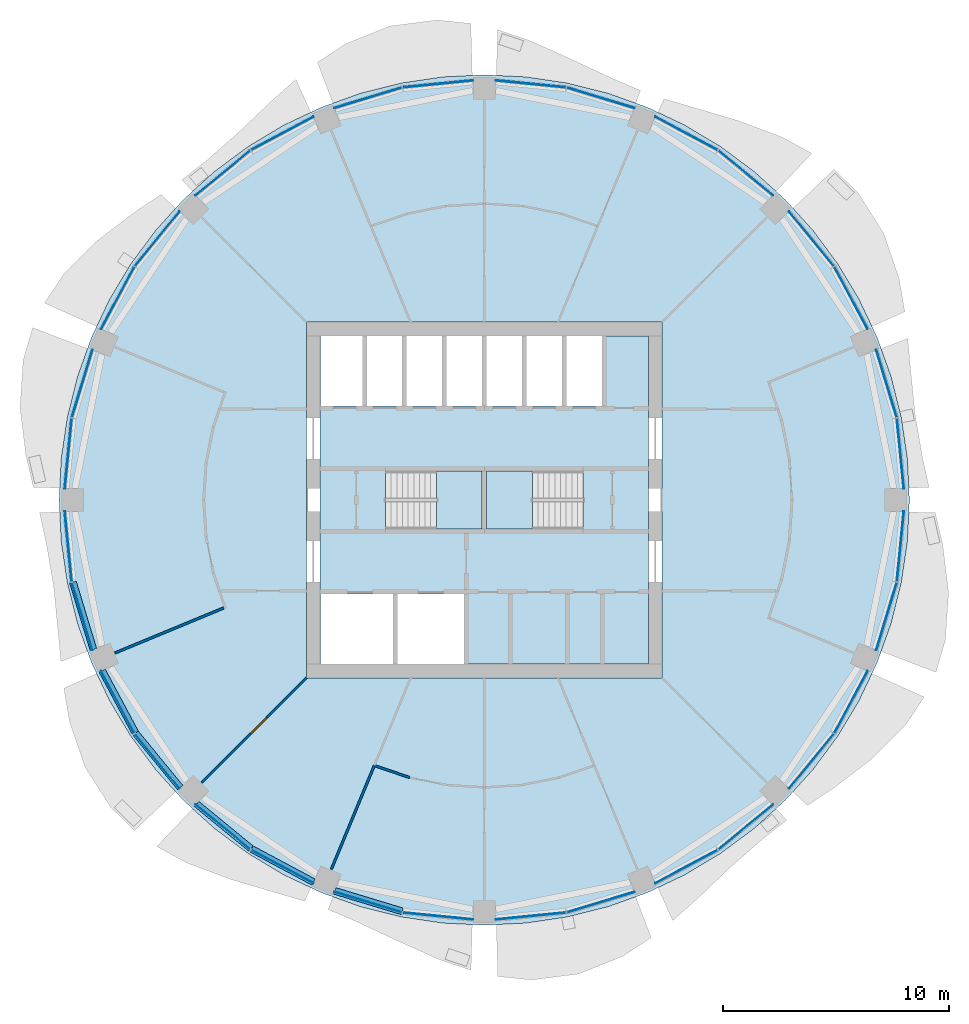
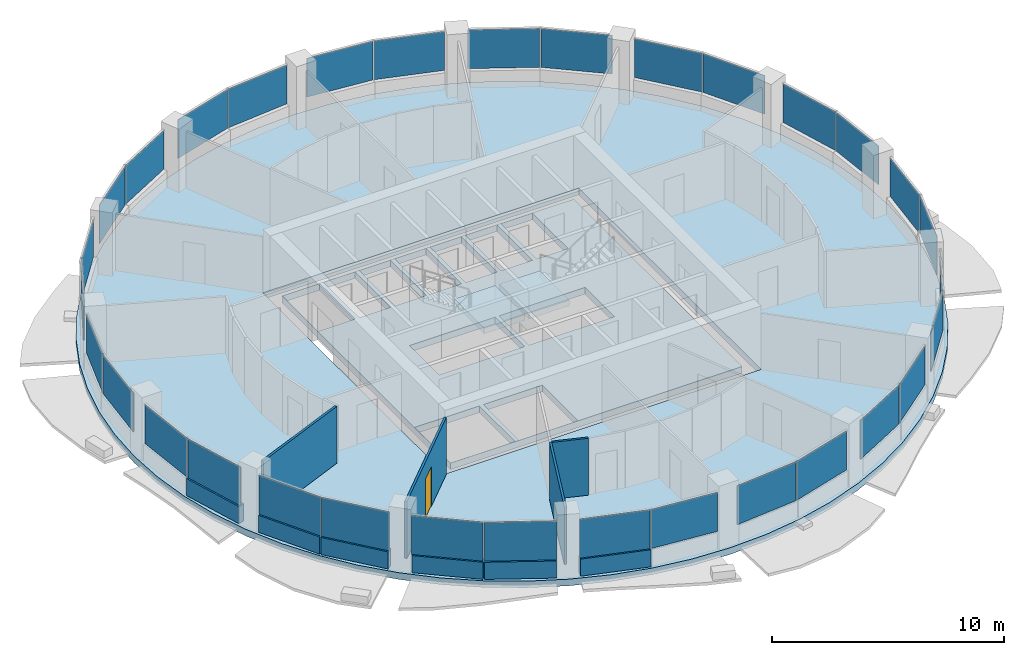
# One storey, part 7 of 15: 32 plates, 10 walls, 4 slabs, 1 door, 1 opening, 18 elements without a shape of their own.
"""IFC4 building model written with IfcOpenShell, lengths in metres."""

from ifc_helpers import new_model, si_unit, direction, frame, frame_2d, origin, origin_2d, place, context, subcontext, project, spatial, polyline, rectangle, outline, extrude, material, layer, layer_set, type_object, element, fill, aggregate, save


model = new_model("IFC4")

# Units and contexts
model_context = context("Model", 3, precision=1e-05, world=origin(), true_north=direction((0.0, 1.0)))
body_context = subcontext(model_context, "Body", "Model", "MODEL_VIEW")
ifc_project = project(units=[si_unit("LENGTHUNIT", "METRE"), si_unit("AREAUNIT", "SQUARE_METRE"), si_unit("VOLUMEUNIT", "CUBIC_METRE"), si_unit("PLANEANGLEUNIT", "RADIAN"), si_unit("MASSUNIT", "GRAM", prefix="KILO")], contexts=[model_context])

# Site, building, storey
site_placement = place(None, origin())
site = spatial("IfcSite", under=ifc_project, at=site_placement, CompositionType="ELEMENT")
building_placement = place(site_placement, origin())
building = spatial("IfcBuilding", under=site, at=building_placement, Name="Polderwave Tower", CompositionType="ELEMENT")
storey_placement = place(building_placement, frame((0.0, 0.0, 151.10009765625)))
storey = spatial("IfcBuildingStorey", under=building, at=storey_placement, Name="L40", CompositionType="ELEMENT", Elevation=151.10009765625)

# Slab
ifc_material_1 = material(Name="Concrete C40/50", Category="concrete")
ifc_layer_1 = layer(ifc_material_1, 0.35009765625)
ifc_layer_set_1 = layer_set([ifc_layer_1], Name="Core floor slab 350")
slab_type_1 = type_object("IfcSlabType", Name="Core floor slab 350", PredefinedType="FLOOR", material=ifc_layer_set_1)
slab_1_placement = place(storey_placement, frame((0.0, 0.0, -0.35009765625)))
element("IfcSlab", 1, at=slab_1_placement, inside=storey, type_object=slab_type_1, Name="L40 core floor", PredefinedType="FLOOR", context=body_context, shape_type="SweptSolid", body=[
    extrude(outline(polyline([(-7.27392578125, -7.27392578125), (7.27392578125, -7.27392578125), (7.27392578125, 7.27392578125), (-7.27392578125, 7.27392578125), (-7.27392578125, -7.27392578125)]), holes=[polyline([(-7.25390625, -7.25390625), (-4.037109375, -7.25390625), (-4.037109375, -4.174072265625), (-7.25390625, -4.174072265625), (-7.25390625, -7.25390625)]), polyline([(-3.8369140625, -7.25390625), (-0.89990234375, -7.25390625), (-0.89990234375, -4.174072265625), (-3.8369140625, -4.174072265625), (-3.8369140625, -7.25390625)]), polyline([(-7.25390625, 4.174072265625), (-5.405517578125, 4.174072265625), (-5.405517578125, 7.25390625), (-7.25390625, 7.25390625), (-7.25390625, 4.174072265625)]), polyline([(-5.20556640625, 4.174072265625), (-3.636962890625, 4.174072265625), (-3.636962890625, 7.25390625), (-5.20556640625, 7.25390625), (-5.20556640625, 4.174072265625)]), polyline([(-3.43701171875, 4.174072265625), (-1.868408203125, 4.174072265625), (-1.868408203125, 7.25390625), (-3.43701171875, 7.25390625), (-3.43701171875, 4.174072265625)]), polyline([(-1.66845703125, 4.174072265625), (-0.10009765625, 4.174072265625), (-0.10009765625, 7.25390625), (-1.66845703125, 7.25390625), (-1.66845703125, 4.174072265625)]), polyline([(0.10009765625, 4.174072265625), (1.66845703125, 4.174072265625), (1.66845703125, 7.25390625), (0.10009765625, 7.25390625), (0.10009765625, 4.174072265625)]), polyline([(1.868408203125, 4.174072265625), (3.43701171875, 4.174072265625), (3.43701171875, 7.25390625), (1.868408203125, 7.25390625), (1.868408203125, 4.174072265625)]), polyline([(3.636962890625, 4.174072265625), (5.20556640625, 4.174072265625), (5.20556640625, 7.25390625), (3.636962890625, 7.25390625), (3.636962890625, 4.174072265625)]), polyline([(-4.37353515625, -1.2744140625), (-0.1005859375, -1.2744140625), (-0.1005859375, 1.2744140625), (-4.37353515625, 1.2744140625), (-4.37353515625, -1.2744140625)]), polyline([(0.1005859375, -1.2744140625), (4.37353515625, -1.2744140625), (4.37353515625, 1.2744140625), (0.1005859375, 1.2744140625), (0.1005859375, -1.2744140625)])]), origin(), (0.0, 0.0, 1.0), 0.35009765625),
])

# Curtain wall, plates
ifc_material_2 = material(Name="Aluminium 6063-T6 and glass", Category="aluminium")
curtain_wall_type = type_object("IfcCurtainWallType", Name="Office ribbon glazing wall", PredefinedType="NOTDEFINED", material=ifc_material_2)
curtain_wall_1_placement = place(storey_placement, origin())
curtain_wall_1 = element("IfcCurtainWall", 2, at=curtain_wall_1_placement, inside=storey, type_object=curtain_wall_type, Name="CW3 L40 00", PredefinedType="NOTDEFINED")
ifc_material_3 = material(Name="Glass, low-e laminated double glazing", Category="glass")
ifc_layer_2 = layer(ifc_material_3, 0.031982421875)
ifc_layer_set_2 = layer_set([ifc_layer_2], Name="Office ribbon glazing glass panel 32 mm")
plate_type = type_object("IfcPlateType", Name="Office ribbon glazing glass panel 32 mm", PredefinedType="CURTAIN_PANEL", material=ifc_layer_set_2)
plate_1_placement = place(storey_placement, frame((18.427734375, 2.0537109375, 0.89990234375), z_axis=(0.0, 0.0, 1.0), x_axis=(-0.098090090917, 0.995177538967, 0.0)))
plate_1 = element("IfcPlate", 3, at=plate_1_placement, type_object=plate_type, Name="CW3 panel 1", PredefinedType="CURTAIN_PANEL", context=body_context, shape_type="SweptSolid", body=[
    extrude(rectangle(XDim=3.122802734375, YDim=0.031982421875, at=origin_2d()), origin(), (0.0, 0.0, 1.0), 2.0400390625),
])
plate_2_placement = place(storey_placement, frame((17.81103515625, 5.1552734375, 0.89990234375), z_axis=(0.0, 0.0, 1.0), x_axis=(-0.290201167351, 0.956965664205, 0.0)))
plate_2 = element("IfcPlate", 4, at=plate_2_placement, type_object=plate_type, Name="CW3 panel 2", PredefinedType="CURTAIN_PANEL", context=body_context, shape_type="SweptSolid", body=[
    extrude(rectangle(XDim=3.1220703125, YDim=0.031982421875, at=origin_2d()), origin(), (0.0, 0.0, 1.0), 2.0400390625),
])
aggregate(curtain_wall_1, [plate_1, plate_2])

curtain_wall_2_placement = place(storey_placement, origin())
curtain_wall_2 = element("IfcCurtainWall", 5, at=curtain_wall_2_placement, inside=storey, type_object=curtain_wall_type, Name="CW3 L40 01", PredefinedType="NOTDEFINED")
plate_3_placement = place(storey_placement, frame((16.239013671875, 8.948974609375, 0.89990234375), z_axis=(0.0, 0.0, 1.0), x_axis=(-0.471429060612, 0.881903986163, 0.0)))
plate_3 = element("IfcPlate", 6, at=plate_3_placement, type_object=plate_type, Name="CW3 panel 1", PredefinedType="CURTAIN_PANEL", context=body_context, shape_type="SweptSolid", body=[
    extrude(rectangle(XDim=3.12255859375, YDim=0.031982421875, at=origin_2d()), origin(), (0.0, 0.0, 1.0), 2.0400390625),
])
plate_4_placement = place(storey_placement, frame((14.482421875, 11.578125, 0.89990234375), z_axis=(0.0, 0.0, 1.0), x_axis=(-0.63432582386, 0.773065811677, 0.0)))
plate_4 = element("IfcPlate", 7, at=plate_4_placement, type_object=plate_type, Name="CW3 panel 2", PredefinedType="CURTAIN_PANEL", context=body_context, shape_type="SweptSolid", body=[
    extrude(rectangle(XDim=3.122314453125, YDim=0.031982421875, at=origin_2d()), origin(), (0.0, 0.0, 1.0), 2.0400390625),
])
aggregate(curtain_wall_2, [plate_3, plate_4])

curtain_wall_3_placement = place(storey_placement, origin())
curtain_wall_3 = element("IfcCurtainWall", 8, at=curtain_wall_3_placement, inside=storey, type_object=curtain_wall_type, Name="CW3 L40 02", PredefinedType="NOTDEFINED")
plate_5_placement = place(storey_placement, frame((11.578125, 14.482421875, 0.89990234375), z_axis=(0.0, 0.0, 1.0), x_axis=(-0.773065811677, 0.63432582386, 0.0)))
plate_5 = element("IfcPlate", 9, at=plate_5_placement, type_object=plate_type, Name="CW3 panel 1", PredefinedType="CURTAIN_PANEL", context=body_context, shape_type="SweptSolid", body=[
    extrude(rectangle(XDim=3.122314453125, YDim=0.031982421875, at=origin_2d()), origin(), (0.0, 0.0, 1.0), 2.0400390625),
])
plate_6_placement = place(storey_placement, frame((8.948974609375, 16.239013671875, 0.89990234375), z_axis=(0.0, 0.0, 1.0), x_axis=(-0.881903986163, 0.471429060612, 0.0)))
plate_6 = element("IfcPlate", 10, at=plate_6_placement, type_object=plate_type, Name="CW3 panel 2", PredefinedType="CURTAIN_PANEL", context=body_context, shape_type="SweptSolid", body=[
    extrude(rectangle(XDim=3.12255859375, YDim=0.031982421875, at=origin_2d()), origin(), (0.0, 0.0, 1.0), 2.0400390625),
])
aggregate(curtain_wall_3, [plate_5, plate_6])

curtain_wall_4_placement = place(storey_placement, origin())
curtain_wall_4 = element("IfcCurtainWall", 11, at=curtain_wall_4_placement, inside=storey, type_object=curtain_wall_type, Name="CW3 L40 03", PredefinedType="NOTDEFINED")
plate_7_placement = place(storey_placement, frame((5.1552734375, 17.81103515625, 0.89990234375), z_axis=(0.0, 0.0, 1.0), x_axis=(-0.956965664205, 0.290201167351, 0.0)))
plate_7 = element("IfcPlate", 12, at=plate_7_placement, type_object=plate_type, Name="CW3 panel 1", PredefinedType="CURTAIN_PANEL", context=body_context, shape_type="SweptSolid", body=[
    extrude(rectangle(XDim=3.1220703125, YDim=0.031982421875, at=origin_2d()), origin(), (0.0, 0.0, 1.0), 2.0400390625),
])
plate_8_placement = place(storey_placement, frame((2.0537109375, 18.427734375, 0.89990234375), z_axis=(0.0, 0.0, 1.0), x_axis=(-0.995177538967, 0.098090090917, 0.0)))
plate_8 = element("IfcPlate", 13, at=plate_8_placement, type_object=plate_type, Name="CW3 panel 2", PredefinedType="CURTAIN_PANEL", context=body_context, shape_type="SweptSolid", body=[
    extrude(rectangle(XDim=3.122802734375, YDim=0.031982421875, at=origin_2d()), origin(), (0.0, 0.0, 1.0), 2.0400390625),
])
aggregate(curtain_wall_4, [plate_7, plate_8])

curtain_wall_5_placement = place(storey_placement, origin())
curtain_wall_5 = element("IfcCurtainWall", 14, at=curtain_wall_5_placement, inside=storey, type_object=curtain_wall_type, Name="CW3 L40 04", PredefinedType="NOTDEFINED")
plate_9_placement = place(storey_placement, frame((-2.0537109375, 18.427734375, 0.89990234375), z_axis=(0.0, 0.0, 1.0), x_axis=(-0.995177538967, -0.098090090917, 0.0)))
plate_9 = element("IfcPlate", 15, at=plate_9_placement, type_object=plate_type, Name="CW3 panel 1", PredefinedType="CURTAIN_PANEL", context=body_context, shape_type="SweptSolid", body=[
    extrude(rectangle(XDim=3.122802734375, YDim=0.031982421875, at=origin_2d()), origin(), (0.0, 0.0, 1.0), 2.0400390625),
])
plate_10_placement = place(storey_placement, frame((-5.1552734375, 17.81103515625, 0.89990234375), z_axis=(0.0, 0.0, 1.0), x_axis=(-0.956965664205, -0.290201167351, 0.0)))
plate_10 = element("IfcPlate", 16, at=plate_10_placement, type_object=plate_type, Name="CW3 panel 2", PredefinedType="CURTAIN_PANEL", context=body_context, shape_type="SweptSolid", body=[
    extrude(rectangle(XDim=3.1220703125, YDim=0.031982421875, at=origin_2d()), origin(), (0.0, 0.0, 1.0), 2.0400390625),
])
aggregate(curtain_wall_5, [plate_9, plate_10])

curtain_wall_6_placement = place(storey_placement, origin())
curtain_wall_6 = element("IfcCurtainWall", 17, at=curtain_wall_6_placement, inside=storey, type_object=curtain_wall_type, Name="CW3 L40 05", PredefinedType="NOTDEFINED")
plate_11_placement = place(storey_placement, frame((-8.948974609375, 16.239013671875, 0.89990234375), z_axis=(0.0, 0.0, 1.0), x_axis=(-0.881903986163, -0.471429060612, 0.0)))
plate_11 = element("IfcPlate", 18, at=plate_11_placement, type_object=plate_type, Name="CW3 panel 1", PredefinedType="CURTAIN_PANEL", context=body_context, shape_type="SweptSolid", body=[
    extrude(rectangle(XDim=3.12255859375, YDim=0.031982421875, at=origin_2d()), origin(), (0.0, 0.0, 1.0), 2.0400390625),
])
plate_12_placement = place(storey_placement, frame((-11.578125, 14.482421875, 0.89990234375), z_axis=(0.0, 0.0, 1.0), x_axis=(-0.773065811677, -0.63432582386, 0.0)))
plate_12 = element("IfcPlate", 19, at=plate_12_placement, type_object=plate_type, Name="CW3 panel 2", PredefinedType="CURTAIN_PANEL", context=body_context, shape_type="SweptSolid", body=[
    extrude(rectangle(XDim=3.122314453125, YDim=0.031982421875, at=origin_2d()), origin(), (0.0, 0.0, 1.0), 2.0400390625),
])
aggregate(curtain_wall_6, [plate_11, plate_12])

curtain_wall_7_placement = place(storey_placement, origin())
curtain_wall_7 = element("IfcCurtainWall", 20, at=curtain_wall_7_placement, inside=storey, type_object=curtain_wall_type, Name="CW3 L40 06", PredefinedType="NOTDEFINED")
plate_13_placement = place(storey_placement, frame((-14.482421875, 11.578125, 0.89990234375), z_axis=(0.0, 0.0, 1.0), x_axis=(-0.63432582386, -0.773065811677, 0.0)))
plate_13 = element("IfcPlate", 21, at=plate_13_placement, type_object=plate_type, Name="CW3 panel 1", PredefinedType="CURTAIN_PANEL", context=body_context, shape_type="SweptSolid", body=[
    extrude(rectangle(XDim=3.122314453125, YDim=0.031982421875, at=origin_2d()), origin(), (0.0, 0.0, 1.0), 2.0400390625),
])
plate_14_placement = place(storey_placement, frame((-16.239013671875, 8.948974609375, 0.89990234375), z_axis=(0.0, 0.0, 1.0), x_axis=(-0.471429060612, -0.881903986163, 0.0)))
plate_14 = element("IfcPlate", 22, at=plate_14_placement, type_object=plate_type, Name="CW3 panel 2", PredefinedType="CURTAIN_PANEL", context=body_context, shape_type="SweptSolid", body=[
    extrude(rectangle(XDim=3.12255859375, YDim=0.031982421875, at=origin_2d()), origin(), (0.0, 0.0, 1.0), 2.0400390625),
])
aggregate(curtain_wall_7, [plate_13, plate_14])

curtain_wall_8_placement = place(storey_placement, origin())
curtain_wall_8 = element("IfcCurtainWall", 23, at=curtain_wall_8_placement, inside=storey, type_object=curtain_wall_type, Name="CW3 L40 07", PredefinedType="NOTDEFINED")
plate_15_placement = place(storey_placement, frame((-17.81103515625, 5.1552734375, 0.89990234375), z_axis=(0.0, 0.0, 1.0), x_axis=(-0.290201167351, -0.956965664205, 0.0)))
plate_15 = element("IfcPlate", 24, at=plate_15_placement, type_object=plate_type, Name="CW3 panel 1", PredefinedType="CURTAIN_PANEL", context=body_context, shape_type="SweptSolid", body=[
    extrude(rectangle(XDim=3.1220703125, YDim=0.031982421875, at=origin_2d()), origin(), (0.0, 0.0, 1.0), 2.0400390625),
])
plate_16_placement = place(storey_placement, frame((-18.427734375, 2.0537109375, 0.89990234375), z_axis=(0.0, 0.0, 1.0), x_axis=(-0.098090090917, -0.995177538967, 0.0)))
plate_16 = element("IfcPlate", 25, at=plate_16_placement, type_object=plate_type, Name="CW3 panel 2", PredefinedType="CURTAIN_PANEL", context=body_context, shape_type="SweptSolid", body=[
    extrude(rectangle(XDim=3.122802734375, YDim=0.031982421875, at=origin_2d()), origin(), (0.0, 0.0, 1.0), 2.0400390625),
])
aggregate(curtain_wall_8, [plate_15, plate_16])

curtain_wall_9_placement = place(storey_placement, origin())
curtain_wall_9 = element("IfcCurtainWall", 26, at=curtain_wall_9_placement, inside=storey, type_object=curtain_wall_type, Name="CW3 L40 08", PredefinedType="NOTDEFINED")
plate_17_placement = place(storey_placement, frame((-18.427734375, -2.0537109375, 0.89990234375), z_axis=(0.0, 0.0, 1.0), x_axis=(0.098090090917, -0.995177538967, 0.0)))
plate_17 = element("IfcPlate", 27, at=plate_17_placement, type_object=plate_type, Name="CW3 panel 1", PredefinedType="CURTAIN_PANEL", context=body_context, shape_type="SweptSolid", body=[
    extrude(rectangle(XDim=3.122802734375, YDim=0.031982421875, at=origin_2d()), origin(), (0.0, 0.0, 1.0), 2.0400390625),
])
plate_18_placement = place(storey_placement, frame((-17.81103515625, -5.1552734375, 0.89990234375), z_axis=(0.0, 0.0, 1.0), x_axis=(0.290201167351, -0.956965664205, 0.0)))
plate_18 = element("IfcPlate", 28, at=plate_18_placement, type_object=plate_type, Name="CW3 panel 2", PredefinedType="CURTAIN_PANEL", context=body_context, shape_type="SweptSolid", body=[
    extrude(rectangle(XDim=3.1220703125, YDim=0.031982421875, at=origin_2d()), origin(), (0.0, 0.0, 1.0), 2.0400390625),
])
aggregate(curtain_wall_9, [plate_17, plate_18])

curtain_wall_10_placement = place(storey_placement, origin())
curtain_wall_10 = element("IfcCurtainWall", 29, at=curtain_wall_10_placement, inside=storey, type_object=curtain_wall_type, Name="CW3 L40 09", PredefinedType="NOTDEFINED")
plate_19_placement = place(storey_placement, frame((-16.239013671875, -8.948974609375, 0.89990234375), z_axis=(0.0, 0.0, 1.0), x_axis=(0.471429060612, -0.881903986163, 0.0)))
plate_19 = element("IfcPlate", 30, at=plate_19_placement, type_object=plate_type, Name="CW3 panel 1", PredefinedType="CURTAIN_PANEL", context=body_context, shape_type="SweptSolid", body=[
    extrude(rectangle(XDim=3.12255859375, YDim=0.031982421875, at=origin_2d()), origin(), (0.0, 0.0, 1.0), 2.0400390625),
])
plate_20_placement = place(storey_placement, frame((-14.482421875, -11.578125, 0.89990234375), z_axis=(0.0, 0.0, 1.0), x_axis=(0.63432582386, -0.773065811677, 0.0)))
plate_20 = element("IfcPlate", 31, at=plate_20_placement, type_object=plate_type, Name="CW3 panel 2", PredefinedType="CURTAIN_PANEL", context=body_context, shape_type="SweptSolid", body=[
    extrude(rectangle(XDim=3.122314453125, YDim=0.031982421875, at=origin_2d()), origin(), (0.0, 0.0, 1.0), 2.0400390625),
])
aggregate(curtain_wall_10, [plate_19, plate_20])

curtain_wall_11_placement = place(storey_placement, origin())
curtain_wall_11 = element("IfcCurtainWall", 32, at=curtain_wall_11_placement, inside=storey, type_object=curtain_wall_type, Name="CW3 L40 10", PredefinedType="NOTDEFINED")
plate_21_placement = place(storey_placement, frame((-11.578125, -14.482421875, 0.89990234375), z_axis=(0.0, 0.0, 1.0), x_axis=(0.773065811677, -0.63432582386, 0.0)))
plate_21 = element("IfcPlate", 33, at=plate_21_placement, type_object=plate_type, Name="CW3 panel 1", PredefinedType="CURTAIN_PANEL", context=body_context, shape_type="SweptSolid", body=[
    extrude(rectangle(XDim=3.122314453125, YDim=0.031982421875, at=origin_2d()), origin(), (0.0, 0.0, 1.0), 2.0400390625),
])
plate_22_placement = place(storey_placement, frame((-8.948974609375, -16.239013671875, 0.89990234375), z_axis=(0.0, 0.0, 1.0), x_axis=(0.881903986163, -0.471429060612, 0.0)))
plate_22 = element("IfcPlate", 34, at=plate_22_placement, type_object=plate_type, Name="CW3 panel 2", PredefinedType="CURTAIN_PANEL", context=body_context, shape_type="SweptSolid", body=[
    extrude(rectangle(XDim=3.12255859375, YDim=0.031982421875, at=origin_2d()), origin(), (0.0, 0.0, 1.0), 2.0400390625),
])
aggregate(curtain_wall_11, [plate_21, plate_22])

curtain_wall_12_placement = place(storey_placement, origin())
curtain_wall_12 = element("IfcCurtainWall", 35, at=curtain_wall_12_placement, inside=storey, type_object=curtain_wall_type, Name="CW3 L40 11", PredefinedType="NOTDEFINED")
plate_23_placement = place(storey_placement, frame((-5.1552734375, -17.81103515625, 0.89990234375), z_axis=(0.0, 0.0, 1.0), x_axis=(0.956965664205, -0.290201167351, 0.0)))
plate_23 = element("IfcPlate", 36, at=plate_23_placement, type_object=plate_type, Name="CW3 panel 1", PredefinedType="CURTAIN_PANEL", context=body_context, shape_type="SweptSolid", body=[
    extrude(rectangle(XDim=3.1220703125, YDim=0.031982421875, at=origin_2d()), origin(), (0.0, 0.0, 1.0), 2.0400390625),
])
plate_24_placement = place(storey_placement, frame((-2.0537109375, -18.427734375, 0.89990234375), z_axis=(0.0, 0.0, 1.0), x_axis=(0.995177538967, -0.098090090917, 0.0)))
plate_24 = element("IfcPlate", 37, at=plate_24_placement, type_object=plate_type, Name="CW3 panel 2", PredefinedType="CURTAIN_PANEL", context=body_context, shape_type="SweptSolid", body=[
    extrude(rectangle(XDim=3.122802734375, YDim=0.031982421875, at=origin_2d()), origin(), (0.0, 0.0, 1.0), 2.0400390625),
])
aggregate(curtain_wall_12, [plate_23, plate_24])

curtain_wall_13_placement = place(storey_placement, origin())
curtain_wall_13 = element("IfcCurtainWall", 38, at=curtain_wall_13_placement, inside=storey, type_object=curtain_wall_type, Name="CW3 L40 12", PredefinedType="NOTDEFINED")
plate_25_placement = place(storey_placement, frame((2.0537109375, -18.427734375, 0.89990234375), z_axis=(0.0, 0.0, 1.0), x_axis=(0.995177538967, 0.098090090917, 0.0)))
plate_25 = element("IfcPlate", 39, at=plate_25_placement, type_object=plate_type, Name="CW3 panel 1", PredefinedType="CURTAIN_PANEL", context=body_context, shape_type="SweptSolid", body=[
    extrude(rectangle(XDim=3.122802734375, YDim=0.031982421875, at=origin_2d()), origin(), (0.0, 0.0, 1.0), 2.0400390625),
])
plate_26_placement = place(storey_placement, frame((5.1552734375, -17.81103515625, 0.89990234375), z_axis=(0.0, 0.0, 1.0), x_axis=(0.956965664205, 0.290201167351, 0.0)))
plate_26 = element("IfcPlate", 40, at=plate_26_placement, type_object=plate_type, Name="CW3 panel 2", PredefinedType="CURTAIN_PANEL", context=body_context, shape_type="SweptSolid", body=[
    extrude(rectangle(XDim=3.1220703125, YDim=0.031982421875, at=origin_2d()), origin(), (0.0, 0.0, 1.0), 2.0400390625),
])
aggregate(curtain_wall_13, [plate_25, plate_26])

curtain_wall_14_placement = place(storey_placement, origin())
curtain_wall_14 = element("IfcCurtainWall", 41, at=curtain_wall_14_placement, inside=storey, type_object=curtain_wall_type, Name="CW3 L40 13", PredefinedType="NOTDEFINED")
plate_27_placement = place(storey_placement, frame((8.948974609375, -16.239013671875, 0.89990234375), z_axis=(0.0, 0.0, 1.0), x_axis=(0.881903986163, 0.471429060612, 0.0)))
plate_27 = element("IfcPlate", 42, at=plate_27_placement, type_object=plate_type, Name="CW3 panel 1", PredefinedType="CURTAIN_PANEL", context=body_context, shape_type="SweptSolid", body=[
    extrude(rectangle(XDim=3.12255859375, YDim=0.031982421875, at=origin_2d()), origin(), (0.0, 0.0, 1.0), 2.0400390625),
])
plate_28_placement = place(storey_placement, frame((11.578125, -14.482421875, 0.89990234375), z_axis=(0.0, 0.0, 1.0), x_axis=(0.773065811677, 0.63432582386, 0.0)))
plate_28 = element("IfcPlate", 43, at=plate_28_placement, type_object=plate_type, Name="CW3 panel 2", PredefinedType="CURTAIN_PANEL", context=body_context, shape_type="SweptSolid", body=[
    extrude(rectangle(XDim=3.122314453125, YDim=0.031982421875, at=origin_2d()), origin(), (0.0, 0.0, 1.0), 2.0400390625),
])
aggregate(curtain_wall_14, [plate_27, plate_28])

curtain_wall_15_placement = place(storey_placement, origin())
curtain_wall_15 = element("IfcCurtainWall", 44, at=curtain_wall_15_placement, inside=storey, type_object=curtain_wall_type, Name="CW3 L40 14", PredefinedType="NOTDEFINED")
plate_29_placement = place(storey_placement, frame((14.482421875, -11.578125, 0.89990234375), z_axis=(0.0, 0.0, 1.0), x_axis=(0.63432582386, 0.773065811677, 0.0)))
plate_29 = element("IfcPlate", 45, at=plate_29_placement, type_object=plate_type, Name="CW3 panel 1", PredefinedType="CURTAIN_PANEL", context=body_context, shape_type="SweptSolid", body=[
    extrude(rectangle(XDim=3.122314453125, YDim=0.031982421875, at=origin_2d()), origin(), (0.0, 0.0, 1.0), 2.0400390625),
])
plate_30_placement = place(storey_placement, frame((16.239013671875, -8.948974609375, 0.89990234375), z_axis=(0.0, 0.0, 1.0), x_axis=(0.471429060612, 0.881903986163, 0.0)))
plate_30 = element("IfcPlate", 46, at=plate_30_placement, type_object=plate_type, Name="CW3 panel 2", PredefinedType="CURTAIN_PANEL", context=body_context, shape_type="SweptSolid", body=[
    extrude(rectangle(XDim=3.12255859375, YDim=0.031982421875, at=origin_2d()), origin(), (0.0, 0.0, 1.0), 2.0400390625),
])
aggregate(curtain_wall_15, [plate_29, plate_30])

curtain_wall_16_placement = place(storey_placement, origin())
curtain_wall_16 = element("IfcCurtainWall", 47, at=curtain_wall_16_placement, inside=storey, type_object=curtain_wall_type, Name="CW3 L40 15", PredefinedType="NOTDEFINED")
plate_31_placement = place(storey_placement, frame((17.81103515625, -5.1552734375, 0.89990234375), z_axis=(0.0, 0.0, 1.0), x_axis=(0.290201167351, 0.956965664205, 0.0)))
plate_31 = element("IfcPlate", 48, at=plate_31_placement, type_object=plate_type, Name="CW3 panel 1", PredefinedType="CURTAIN_PANEL", context=body_context, shape_type="SweptSolid", body=[
    extrude(rectangle(XDim=3.1220703125, YDim=0.031982421875, at=origin_2d()), origin(), (0.0, 0.0, 1.0), 2.0400390625),
])
plate_32_placement = place(storey_placement, frame((18.427734375, -2.0537109375, 0.89990234375), z_axis=(0.0, 0.0, 1.0), x_axis=(0.098090090917, 0.995177538967, 0.0)))
plate_32 = element("IfcPlate", 49, at=plate_32_placement, type_object=plate_type, Name="CW3 panel 2", PredefinedType="CURTAIN_PANEL", context=body_context, shape_type="SweptSolid", body=[
    extrude(rectangle(XDim=3.122802734375, YDim=0.031982421875, at=origin_2d()), origin(), (0.0, 0.0, 1.0), 2.0400390625),
])
aggregate(curtain_wall_16, [plate_31, plate_32])

# Slab
ifc_layer_3 = layer(ifc_material_1, 0.35009765625)
ifc_layer_set_3 = layer_set([ifc_layer_3], Name="PT FLOOR SLAB 350 C40/50")
slab_type_2 = type_object("IfcSlabType", Name="PT FLOOR SLAB 350 C40/50", PredefinedType="FLOOR", material=ifc_layer_set_3)
slab_2_placement = place(storey_placement, frame((0.0, 0.0, -0.35009765625)))
element("IfcSlab", 50, at=slab_2_placement, inside=storey, type_object=slab_type_2, Name="ST-SLAB-L40", PredefinedType="FLOOR", context=body_context, shape_type="SweptSolid", body=[
    extrude(outline(polyline([(18.830078125, 0.0), (18.7392578125, 1.845703125), (18.46826171875, 3.673583984375), (18.019287109375, 5.466064453125), (17.396728515625, 7.205810546875), (16.606689453125, 8.87646484375), (15.656494140625, 10.46142578125), (14.555908203125, 11.945556640625), (13.314697265625, 13.314697265625), (11.945556640625, 14.555908203125), (10.46142578125, 15.656494140625), (8.87646484375, 16.606689453125), (7.205810546875, 17.396728515625), (5.466064453125, 18.019287109375), (3.673583984375, 18.46826171875), (1.845703125, 18.7392578125), (0.0, 18.830078125), (-1.845703125, 18.7392578125), (-3.673583984375, 18.46826171875), (-5.466064453125, 18.019287109375), (-7.205810546875, 17.396728515625), (-8.87646484375, 16.606689453125), (-10.46142578125, 15.656494140625), (-11.945556640625, 14.555908203125), (-13.314697265625, 13.314697265625), (-14.555908203125, 11.945556640625), (-15.656494140625, 10.46142578125), (-16.606689453125, 8.87646484375), (-17.396728515625, 7.205810546875), (-18.019287109375, 5.466064453125), (-18.46826171875, 3.673583984375), (-18.7392578125, 1.845703125), (-18.830078125, 0.0), (-18.7392578125, -1.845703125), (-18.46826171875, -3.673583984375), (-18.019287109375, -5.466064453125), (-17.396728515625, -7.205810546875), (-16.606689453125, -8.87646484375), (-15.656494140625, -10.46142578125), (-14.555908203125, -11.945556640625), (-13.314697265625, -13.314697265625), (-11.945556640625, -14.555908203125), (-10.46142578125, -15.656494140625), (-8.87646484375, -16.606689453125), (-7.205810546875, -17.396728515625), (-5.466064453125, -18.019287109375), (-3.673583984375, -18.46826171875), (-1.845703125, -18.7392578125), (0.0, -18.830078125), (1.845703125, -18.7392578125), (3.673583984375, -18.46826171875), (5.466064453125, -18.019287109375), (7.205810546875, -17.396728515625), (8.87646484375, -16.606689453125), (10.46142578125, -15.656494140625), (11.945556640625, -14.555908203125), (13.314697265625, -13.314697265625), (14.555908203125, -11.945556640625), (15.656494140625, -10.46142578125), (16.606689453125, -8.87646484375), (17.396728515625, -7.205810546875), (18.019287109375, -5.466064453125), (18.46826171875, -3.673583984375), (18.7392578125, -1.845703125), (18.830078125, 0.0)]), holes=[polyline([(-7.8740234375, -7.8740234375), (7.8740234375, -7.8740234375), (7.8740234375, 7.8740234375), (-7.8740234375, 7.8740234375), (-7.8740234375, -7.8740234375)])]), origin(), (0.0, 0.0, 1.0), 0.35009765625),
])

# Stair, slab
stair_type = type_object("IfcStairType", Name="Exit stair 1200 x 20 risers", PredefinedType="HALF_TURN_STAIR", material=ifc_material_1)
stair_1_placement = place(storey_placement, origin())
stair_1 = element("IfcStair", 51, at=stair_1_placement, inside=storey, type_object=stair_type, Name="L40 Exit stair A", PredefinedType="HALF_TURN_STAIR")
ifc_layer_4 = layer(ifc_material_1, 0.300048828125)
ifc_layer_set_4 = layer_set([ifc_layer_4], Name="Stair landing 300")
slab_type_3 = type_object("IfcSlabType", Name="Stair landing 300", PredefinedType="LANDING", material=ifc_layer_set_4)
slab_3_placement = place(storey_placement, frame((0.0, 0.0, 1.375)))
slab_3 = element("IfcSlab", 52, at=slab_3_placement, type_object=slab_type_3, Name="ST-A landing 1", PredefinedType="LANDING", context=body_context, shape_type="SweptSolid", body=[
    extrude(outline(polyline([(-2.1240234375, -1.27490234375), (-0.10009765625, -1.27490234375), (-0.10009765625, 1.27490234375), (-2.1240234375, 1.27490234375), (-2.1240234375, -1.27490234375)])), origin(), (0.0, 0.0, 1.0), 0.2998046875),
])
aggregate(stair_1, [slab_3])

stair_2_placement = place(storey_placement, origin())
stair_2 = element("IfcStair", 53, at=stair_2_placement, inside=storey, type_object=stair_type, Name="L40 Exit stair B", PredefinedType="HALF_TURN_STAIR")
slab_4_placement = place(storey_placement, frame((0.0, 0.0, 1.375)))
slab_4 = element("IfcSlab", 54, at=slab_4_placement, type_object=slab_type_3, Name="ST-B landing 1", PredefinedType="LANDING", context=body_context, shape_type="SweptSolid", body=[
    extrude(outline(polyline([(2.1240234375, 1.27490234375), (0.10009765625, 1.27490234375), (0.10009765625, -1.27490234375), (2.1240234375, -1.27490234375), (2.1240234375, 1.27490234375)])), origin(), (0.0, 0.0, 1.0), 0.2998046875),
])
aggregate(stair_2, [slab_4])

# Walls
ifc_material_4 = material(Name="Concrete C50/60 (board-marked)", Category="concrete")
ifc_layer_5 = layer(ifc_material_4, 0.300048828125)
ifc_layer_set_5 = layer_set([ifc_layer_5], Name="Concrete spandrel upstand C50/60")
wall_type_1 = type_object("IfcWallType", Name="Concrete spandrel upstand C50/60", PredefinedType="SOLIDWALL", material=ifc_layer_set_5)
wall_1_placement = place(storey_placement, frame((-18.218505859375, -3.639404296875, 0.0), z_axis=(0.0, 0.0, 1.0), x_axis=(0.29026219948, -0.956947154002, 0.0)))
element("IfcWall", 55, at=wall_1_placement, inside=storey, type_object=wall_type_1, Name="Spandrel L40 9b", PredefinedType="SOLIDWALL", context=body_context, shape_type="SweptSolid", body=[
    extrude(rectangle(XDim=3.111328125, YDim=0.300048828125, at=frame_2d((1.5556640625, 0.0))), origin(), (0.0, 0.0, 1.0), 0.89990234375),
])
wall_2_placement = place(storey_placement, frame((-16.921875, -7.565185546875, 0.0), z_axis=(0.0, 0.0, 1.0), x_axis=(0.471467771589, -0.881883291798, 0.0)))
element("IfcWall", 56, at=wall_2_placement, inside=storey, type_object=wall_type_1, Name="Spandrel L40 10a", PredefinedType="SOLIDWALL", context=body_context, shape_type="SweptSolid", body=[
    extrude(rectangle(XDim=3.111083984375, YDim=0.300048828125, at=frame_2d((1.5556640625, 0.0))), origin(), (0.0, 0.0, 1.0), 0.89990234375),
])
for number, where, z_axis, x_axis, name in (
    (57, (-15.4384765625, -10.33349609375, 0.0), (0.0, 0.0, 1.0), (0.634074896441, -0.773271637721, 0.0), "Spandrel L40 10b"),
    (58, (-12.739501953125, -13.465576171875, 0.0), (0.0, 0.0, 1.0), (0.773271637721, -0.634074896441, 0.0), "Spandrel L40 11a"),
):
    element("IfcWall", number, at=place(storey_placement, frame(where, z_axis=z_axis, x_axis=x_axis)), inside=storey, type_object=wall_type_1, Name=name, PredefinedType="SOLIDWALL", context=body_context, shape_type="SweptSolid", body=[
        extrude(rectangle(XDim=3.111572265625, YDim=0.300048828125, at=frame_2d((1.5556640625, 0.0))), origin(), (0.0, 0.0, 1.0), 0.89990234375),
    ])
wall_3_placement = place(storey_placement, frame((-10.308837890625, -15.455078125, 0.0), z_axis=(0.0, 0.0, 1.0), x_axis=(0.881883291798, -0.471467771589, 0.0)))
element("IfcWall", 59, at=wall_3_placement, inside=storey, type_object=wall_type_1, Name="Spandrel L40 11b", PredefinedType="SOLIDWALL", context=body_context, shape_type="SweptSolid", body=[
    extrude(rectangle(XDim=3.111083984375, YDim=0.300048828125, at=frame_2d((1.5556640625, 0.0))), origin(), (0.0, 0.0, 1.0), 0.89990234375),
])
wall_4_placement = place(storey_placement, frame((-6.61669921875, -17.3154296875, 0.0), z_axis=(0.0, 0.0, 1.0), x_axis=(0.956947154002, -0.29026219948, 0.0)))
element("IfcWall", 60, at=wall_4_placement, inside=storey, type_object=wall_type_1, Name="Spandrel L40 12a", PredefinedType="SOLIDWALL", context=body_context, shape_type="SweptSolid", body=[
    extrude(rectangle(XDim=3.111328125, YDim=0.300048828125, at=frame_2d((1.5556640625, 0.0))), origin(), (0.0, 0.0, 1.0), 0.89990234375),
])

# Wall, opening, door
ifc_material_5 = material(Name="Moisture-resistant board on steel studs, tiled", Category="steel")
ifc_layer_6 = layer(ifc_material_5, 0.10498046875)
ifc_layer_set_6 = layer_set([ifc_layer_6], Name="Partition 105 mm wet room board and tile")
wall_type_2 = type_object("IfcWallType", Name="Partition 105 mm wet room board and tile", PredefinedType="PARTITIONING", material=ifc_layer_set_6)
wall_5_placement = place(storey_placement, frame((-7.8740234375, -7.8740234375, 0.0), z_axis=(0.0, 0.0, 1.0), x_axis=(-0.707106781187, -0.707106781187, 0.0)))
wall_5 = element("IfcWall", 61, at=wall_5_placement, inside=storey, type_object=wall_type_2, Name="IN-L40-W039", PredefinedType="PARTITIONING", context=body_context, shape_type="SweptSolid", body=[
    extrude(rectangle(XDim=6.564453125, YDim=0.10498046875, at=frame_2d((3.2822265625, 0.0))), origin(), (0.0, 0.0, 1.0), 3.0),
])
opening_placement = place(wall_5_placement, frame((2.5, 0.0, 0.0)))
opening = element("IfcOpeningElement", 62, at=opening_placement, cuts=wall_5, Name="Opening L40-D62", PredefinedType="OPENING", context=body_context, shape_type="SweptSolid", body=[
    extrude(rectangle(XDim=1.0, YDim=2.10009765625, at=frame_2d((0.5, 1.050048828125))), frame((0.0, 0.0625, 0.0), z_axis=(0.0, -1.0, 0.0), x_axis=(1.0, 0.0, 0.0)), (0.0, 0.0, 1.0), 0.125),
])
ifc_material_6 = material(Name="Timber veneer door leaf", Category="wood")
door_type = type_object("IfcDoorType", Name="Single door 1000 x 2100", OperationType="NOTDEFINED", PredefinedType="DOOR", material=ifc_material_6)
door_placement = place(opening_placement, origin())
door = element("IfcDoor", 63, at=door_placement, inside=storey, type_object=door_type, Name="Door L40-D62", OperationType="SINGLE_SWING_LEFT", OverallHeight=2.10009765625, OverallWidth=1.0, PredefinedType="DOOR", context=body_context, shape_type="SweptSolid", body=[
    extrude(rectangle(XDim=1.0, YDim=2.10009765625, at=frame_2d((0.5, 1.050048828125))), frame((0.0, 0.02490234375, 0.0), z_axis=(0.0, -1.0, 0.0), x_axis=(1.0, 0.0, 0.0)), (0.0, 0.0, 1.0), 0.050048828125),
])
fill(opening, door)

# Walls
wall_6_placement = place(storey_placement, frame((-4.87158203125, -11.760986328125, 0.0), z_axis=(0.0, 0.0, 1.0), x_axis=(-0.38266126553, -0.923888714003, 0.0)))
element("IfcWall", 64, at=wall_6_placement, inside=storey, type_object=wall_type_2, Name="IN-L40-W041", PredefinedType="PARTITIONING", context=body_context, shape_type="SweptSolid", body=[
    extrude(rectangle(XDim=4.969970703125, YDim=0.10498046875, at=frame_2d((2.48486328125, 0.0))), origin(), (0.0, 0.0, 1.0), 3.0),
])
wall_7_placement = place(storey_placement, frame((-3.298095703125, -12.295166015625, 0.0), z_axis=(0.0, 0.0, 1.0), x_axis=(-0.946935734923, 0.321422951771, 0.0)))
element("IfcWall", 65, at=wall_7_placement, inside=storey, type_object=wall_type_2, Name="IN-L40-W042", PredefinedType="PARTITIONING", context=body_context, shape_type="SweptSolid", body=[
    extrude(rectangle(XDim=1.605712890625, YDim=0.10498046875, at=frame_2d((0.802734375, 0.0))), origin(), (0.0, 0.0, 1.0), 3.0),
])
ifc_material_7 = material(Name="Acoustic double plasterboard on steel studs", Category="steel")
ifc_layer_7 = layer(ifc_material_7, 0.110107421875)
ifc_layer_set_7 = layer_set([ifc_layer_7], Name="Partition 110 mm acoustic double board")
wall_type_3 = type_object("IfcWallType", Name="Partition 110 mm acoustic double board", PredefinedType="PARTITIONING", material=ifc_layer_set_7)
wall_8_placement = place(storey_placement, frame((-11.5380859375, -4.779296875, 0.0), z_axis=(0.0, 0.0, 1.0), x_axis=(-0.923891220199, -0.382655214572, 0.0)))
element("IfcWall", 66, at=wall_8_placement, inside=storey, type_object=wall_type_3, Name="IN-L40-W038", PredefinedType="PARTITIONING", context=body_context, shape_type="SweptSolid", body=[
    extrude(rectangle(XDim=5.21142578125, YDim=0.110107421875, at=frame_2d((2.605712890625, 0.0))), origin(), (0.0, 0.0, 1.0), 3.0),
])

save(model, "model.ifc")
